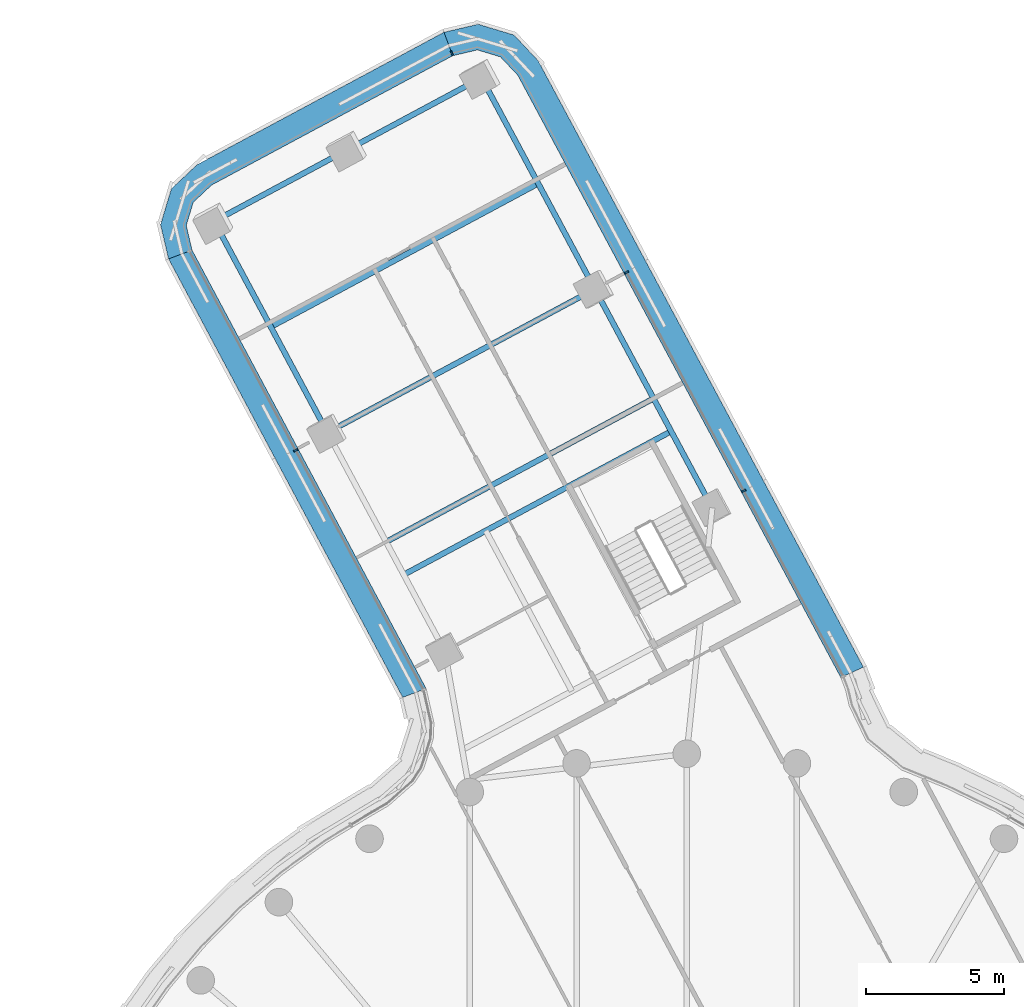
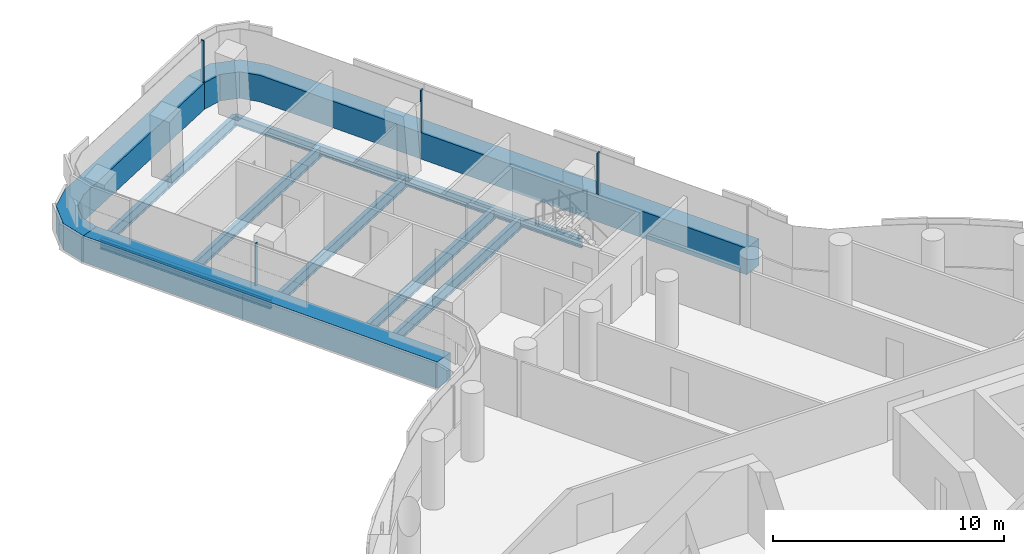
# One storey, part 15 of 33: 9 beams, 7 members, 3 elements without a shape of their own.
"""IFC4 building model written with IfcOpenShell, lengths in metres."""

from ifc_helpers import new_model, si_unit, direction, frame, origin, origin_2d, place, context, subcontext, project, spatial, polyline, rectangle, i_section, outline, extrude, material, layer, layer_set, material_profile, profile_set, type_object, element, aggregate, save


model = new_model("IFC4")

# Units and contexts
model_context = context("Model", 3, precision=1e-05, world=origin(), true_north=direction((0.0, 1.0)))
body_context = subcontext(model_context, "Body", "Model", "MODEL_VIEW")
ifc_project = project(units=[si_unit("LENGTHUNIT", "METRE"), si_unit("AREAUNIT", "SQUARE_METRE"), si_unit("VOLUMEUNIT", "CUBIC_METRE"), si_unit("PLANEANGLEUNIT", "RADIAN"), si_unit("MASSUNIT", "GRAM", prefix="KILO")], contexts=[model_context])

# Site, building, storey
site_placement = place(None, origin())
site = spatial("IfcSite", under=ifc_project, at=site_placement, CompositionType="ELEMENT")
building_placement = place(site_placement, origin())
building = spatial("IfcBuilding", under=site, at=building_placement, Name="Tamarind Cross Interchange Tower", CompositionType="ELEMENT")
storey_placement = place(building_placement, frame((0.0, 0.0, 136.75)))
storey = spatial("IfcBuildingStorey", under=building, at=storey_placement, Name="L33", CompositionType="ELEMENT", Elevation=136.75)

# Beams
ifc_material_1 = material(Name="Steel Q355B", Category="steel")
ifc_material_profile_1 = material_profile(ifc_material_1, i_section(OverallWidth=0.198974609375, OverallDepth=0.49609375, WebThickness=0.009033203125, FlangeThickness=0.013916015625, FilletRadius=0.012939453125, at=origin_2d()), Name="HN 496x199x9x14")
ifc_profile_set_1 = profile_set([ifc_material_profile_1], Name="Steel Q355B")
beam_type_1 = type_object("IfcBeamType", Name="Composite beam HN 496x199x9x14 Q355B", PredefinedType="BEAM", material=ifc_profile_set_1)
beam_1_placement = place(storey_placement, frame((-7.437744140625, 47.501220703125, -0.387939453125), z_axis=(0.4726798699, -0.881234214379, 0.0), x_axis=(0.881234214379, 0.4726798699, 0.0)))
element("IfcBeam", 1, at=beam_1_placement, inside=storey, type_object=beam_type_1, Name="Beam N-edgeem5", PredefinedType="BEAM", context=body_context, shape_type="SweptSolid", body=[
    extrude(i_section(OverallWidth=0.198974609375, OverallDepth=0.49609375, WebThickness=0.009033203125, FlangeThickness=0.013916015625, FilletRadius=0.012939453125, at=origin_2d()), origin(), (0.0, 0.0, 1.0), 8.68798828125),
])
beam_2_placement = place(storey_placement, frame((-3.3310546875, 39.844970703125, -0.387939453125), z_axis=(0.472712902777, -0.881216495277, 0.0), x_axis=(0.881216495277, 0.472712902777, 0.0)))
element("IfcBeam", 2, at=beam_2_placement, inside=storey, type_object=beam_type_1, Name="Beam N-edgeem6", PredefinedType="BEAM", context=body_context, shape_type="SweptSolid", body=[
    extrude(i_section(OverallWidth=0.198974609375, OverallDepth=0.49609375, WebThickness=0.009033203125, FlangeThickness=0.013916015625, FilletRadius=0.012939453125, at=origin_2d()), origin(), (0.0, 0.0, 1.0), 9.0),
])
beam_3_placement = place(storey_placement, frame((-17.13134765625, 42.301513671875, -0.387939453125), z_axis=(0.472701691638, -0.881222509201, 0.0), x_axis=(0.881222509201, 0.472701691638, 0.0)))
element("IfcBeam", 3, at=beam_3_placement, inside=storey, type_object=beam_type_1, Name="Beam N-edgeep2", PredefinedType="BEAM", context=body_context, shape_type="SweptSolid", body=[
    extrude(i_section(OverallWidth=0.198974609375, OverallDepth=0.49609375, WebThickness=0.009033203125, FlangeThickness=0.013916015625, FilletRadius=0.012939453125, at=origin_2d()), origin(), (0.0, 0.0, 1.0), 8.688232421875),
])
ifc_material_profile_2 = material_profile(ifc_material_1, i_section(OverallWidth=0.199951171875, OverallDepth=0.60009765625, WebThickness=0.010986328125, FlangeThickness=0.01708984375, FilletRadius=0.012939453125, at=origin_2d()), Name="HN 600x200x11x17")
ifc_profile_set_2 = profile_set([ifc_material_profile_2], Name="Steel Q355B")
beam_type_2 = type_object("IfcBeamType", Name="Composite beam HN 600x200x11x17 Q355B", PredefinedType="BEAM", material=ifc_profile_set_2)
beam_4_placement = place(storey_placement, frame((-7.437744140625, 47.501220703125, -0.43994140625), z_axis=(-0.881221155414, -0.472704215394, 0.0), x_axis=(0.472704215394, -0.881221155414, 0.0)))
element("IfcBeam", 4, at=beam_4_placement, inside=storey, type_object=beam_type_2, Name="Beam N-tip0", PredefinedType="BEAM", context=body_context, shape_type="SweptSolid", body=[
    extrude(i_section(OverallWidth=0.199951171875, OverallDepth=0.60009765625, WebThickness=0.010986328125, FlangeThickness=0.01708984375, FilletRadius=0.012939453125, at=origin_2d()), origin(), (0.0, 0.0, 1.0), 5.5),
])
beam_5_placement = place(storey_placement, frame((-12.284423828125, 44.9013671875, -0.43994140625), z_axis=(-0.881231073642, -0.472685725241, 0.0), x_axis=(0.472685725241, -0.881231073642, 0.0)))
element("IfcBeam", 5, at=beam_5_placement, inside=storey, type_object=beam_type_2, Name="Beam N-tip1", PredefinedType="BEAM", context=body_context, shape_type="SweptSolid", body=[
    extrude(i_section(OverallWidth=0.199951171875, OverallDepth=0.60009765625, WebThickness=0.010986328125, FlangeThickness=0.01708984375, FilletRadius=0.012939453125, at=origin_2d()), origin(), (0.0, 0.0, 1.0), 5.500244140625),
])
for number, where, z_axis, x_axis, name in (
    (6, (-0.565673828125, 34.68994140625, -0.43994140625), (-0.881221155414, -0.472704215394, 0.0), (0.472704215394, -0.881221155414, 0.0), "Beam N-x334"),
    (7, (-3.3310546875, 39.844970703125, -0.43994140625), (-0.881221155414, -0.472704215394, 0.0), (0.472704215394, -0.881221155414, 0.0), "Beam N-x393"),
):
    element("IfcBeam", number, at=place(storey_placement, frame(where, z_axis=z_axis, x_axis=x_axis)), inside=storey, type_object=beam_type_2, Name=name, PredefinedType="BEAM", context=body_context, shape_type="SweptSolid", body=[
        extrude(i_section(OverallWidth=0.199951171875, OverallDepth=0.60009765625, WebThickness=0.010986328125, FlangeThickness=0.01708984375, FilletRadius=0.012939453125, at=origin_2d()), origin(), (0.0, 0.0, 1.0), 11.0),
    ])
beam_6_placement = place(storey_placement, frame((-1.203857421875, 35.87939453125, -0.43994140625), z_axis=(-0.881230400728, -0.472686979758, 0.0), x_axis=(0.472686979758, -0.881230400728, 0.0)))
element("IfcBeam", 8, at=beam_6_placement, inside=storey, type_object=beam_type_2, Name="Beam N-x348", PredefinedType="BEAM", context=body_context, shape_type="SweptSolid", body=[
    extrude(i_section(OverallWidth=0.199951171875, OverallDepth=0.60009765625, WebThickness=0.010986328125, FlangeThickness=0.01708984375, FilletRadius=0.012939453125, at=origin_2d()), origin(), (0.0, 0.0, 1.0), 10.999755859375),
])
beam_7_placement = place(storey_placement, frame((-5.38427734375, 43.673095703125, -0.43994140625), z_axis=(-0.881226114674, -0.472694970163, 0.0), x_axis=(0.472694970163, -0.881226114674, 0.0)))
element("IfcBeam", 9, at=beam_7_placement, inside=storey, type_object=beam_type_2, Name="Beam N-x436", PredefinedType="BEAM", context=body_context, shape_type="SweptSolid", body=[
    extrude(i_section(OverallWidth=0.199951171875, OverallDepth=0.60009765625, WebThickness=0.010986328125, FlangeThickness=0.01708984375, FilletRadius=0.012939453125, at=origin_2d()), origin(), (0.0, 0.0, 1.0), 11.000244140625),
])

# Curtain wall, member
ifc_material_2 = material(Name="Aluminium 6063-T6", Category="aluminium")
ifc_layer = layer(ifc_material_2, 0.159912109375)
ifc_layer_set = layer_set([ifc_layer], Name="Aluminium 6063-T6")
curtain_wall_type = type_object("IfcCurtainWallType", Name="Office curtain wall, 9.0 m bays", PredefinedType="NOTDEFINED", material=ifc_layer_set)
curtain_wall_1_placement = place(storey_placement, origin())
curtain_wall_1 = element("IfcCurtainWall", 10, at=curtain_wall_1_placement, inside=storey, type_object=curtain_wall_type, Name="CWS-L33-00", PredefinedType="NOTDEFINED")
ifc_material_3 = material(Name="Aluminium and insulated spandrel panel", Category="aluminium")
member_type_1 = type_object("IfcMemberType", Name="Floor-edge blade transom", PredefinedType="USERDEFINED", material=ifc_material_3)
member_1_placement = place(storey_placement, origin())
member_1 = element("IfcMember", 11, at=member_1_placement, type_object=member_type_1, Name="CWT-L33-00", ObjectType="TRANSOM", PredefinedType="USERDEFINED", context=body_context, shape_type="SweptSolid", body=[
    extrude(outline(polyline([(-8.48046875, 48.303466796875), (-17.22314453125, 43.614013671875), (-17.89013671875, 42.9873046875), (-18.142822265625, 42.14990234375), (-17.93359375, 41.258544921875), (-18.782958984375, 40.9384765625), (-19.07421875, 42.178955078125), (-18.68212890625, 43.47802734375), (-17.7529296875, 44.35107421875), (-8.801513671875, 49.152587890625), (-8.48046875, 48.303466796875)])), origin(), (0.0, 0.0, 1.0), 1.39990234375),
])

curtain_wall_2_placement = place(storey_placement, origin())
curtain_wall_2 = element("IfcCurtainWall", 12, at=curtain_wall_2_placement, inside=storey, type_object=curtain_wall_type, Name="CWS-L33-01", PredefinedType="NOTDEFINED")
member_2_placement = place(storey_placement, origin())
member_2 = element("IfcMember", 13, at=member_2_placement, type_object=member_type_1, Name="CWT-L33-01", ObjectType="TRANSOM", PredefinedType="USERDEFINED", context=body_context, shape_type="SweptSolid", body=[
    extrude(outline(polyline([(-17.93359375, 41.258544921875), (-9.446044921875, 25.3603515625), (-10.296875, 25.04296875), (-18.782958984375, 40.9384765625), (-17.93359375, 41.258544921875)])), origin(), (0.0, 0.0, 1.0), 1.39990234375),
])

curtain_wall_3_placement = place(storey_placement, origin())
curtain_wall_3 = element("IfcCurtainWall", 14, at=curtain_wall_3_placement, inside=storey, type_object=curtain_wall_type, Name="CWS-L33-15", PredefinedType="NOTDEFINED")
member_3_placement = place(storey_placement, origin())
member_3 = element("IfcMember", 15, at=member_3_placement, type_object=member_type_1, Name="CWT-L33-15", ObjectType="TRANSOM", PredefinedType="USERDEFINED", context=body_context, shape_type="SweptSolid", body=[
    extrude(outline(polyline([(5.583740234375, 25.764404296875), (-6.125244140625, 47.593017578125), (-6.751953125, 48.26025390625), (-7.58935546875, 48.5126953125), (-8.48046875, 48.303466796875), (-8.801513671875, 49.152587890625), (-7.56005859375, 49.444091796875), (-6.26123046875, 49.052001953125), (-5.38818359375, 48.122802734375), (6.40478515625, 26.137939453125), (5.583740234375, 25.764404296875)])), origin(), (0.0, 0.0, 1.0), 1.39990234375),
])

# Member
ifc_material_profile_3 = material_profile(ifc_material_2, rectangle(XDim=0.06005859375, YDim=0.159912109375, at=origin_2d()), Name="Mullion CW1")
ifc_profile_set_3 = profile_set([ifc_material_profile_3], Name="Aluminium 6063-T6")
member_type_2 = type_object("IfcMemberType", Name="Mullion CW1", PredefinedType="MULLION", material=ifc_profile_set_3)
member_4_placement = place(storey_placement, frame((-8.51611328125, 48.39794921875, 1.39990234375), z_axis=(0.0, 0.0, 1.0), x_axis=(-0.935384792421, -0.353631573969, 0.0)))
member_4 = element("IfcMember", 16, at=member_4_placement, type_object=member_type_2, Name="CWM-L33-00-00", PredefinedType="MULLION", context=body_context, shape_type="SweptSolid", body=[
    extrude(rectangle(XDim=0.06005859375, YDim=0.159912109375, at=origin_2d()), origin(), (0.0, 0.0, 1.0), 2.210205078125),
])

aggregate(curtain_wall_1, [member_4, member_1])

member_5_placement = place(storey_placement, frame((-14.171630859375, 33.99951171875, 1.39990234375), z_axis=(0.0, 0.0, 1.0), x_axis=(0.47095879505, -0.88215520934, 0.0)))
member_5 = element("IfcMember", 17, at=member_5_placement, type_object=member_type_2, Name="CWM-L33-01-01", PredefinedType="MULLION", context=body_context, shape_type="SweptSolid", body=[
    extrude(rectangle(XDim=0.06005859375, YDim=0.159912109375, at=origin_2d()), origin(), (0.0, 0.0, 1.0), 2.210205078125),
])

aggregate(curtain_wall_2, [member_5, member_2])

member_6_placement = place(storey_placement, frame((2.068359375, 32.529541015625, 1.39990234375), z_axis=(0.0, 0.0, 1.0), x_axis=(-0.472698422046, 0.881224263054, 0.0)))
member_6 = element("IfcMember", 18, at=member_6_placement, type_object=member_type_2, Name="CWM-L33-15-01", PredefinedType="MULLION", context=body_context, shape_type="SweptSolid", body=[
    extrude(rectangle(XDim=0.06005859375, YDim=0.159912109375, at=origin_2d()), origin(), (0.0, 0.0, 1.0), 2.210205078125),
])

member_7_placement = place(storey_placement, frame((-2.17919921875, 40.44775390625, 1.39990234375), z_axis=(0.0, 0.0, 1.0), x_axis=(-0.472698422046, 0.881224263054, 0.0)))
member_7 = element("IfcMember", 19, at=member_7_placement, type_object=member_type_2, Name="CWM-L33-15-02", PredefinedType="MULLION", context=body_context, shape_type="SweptSolid", body=[
    extrude(rectangle(XDim=0.06005859375, YDim=0.159912109375, at=origin_2d()), origin(), (0.0, 0.0, 1.0), 2.210205078125),
])

aggregate(curtain_wall_3, [member_6, member_7, member_3])

save(model, "model.ifc")
